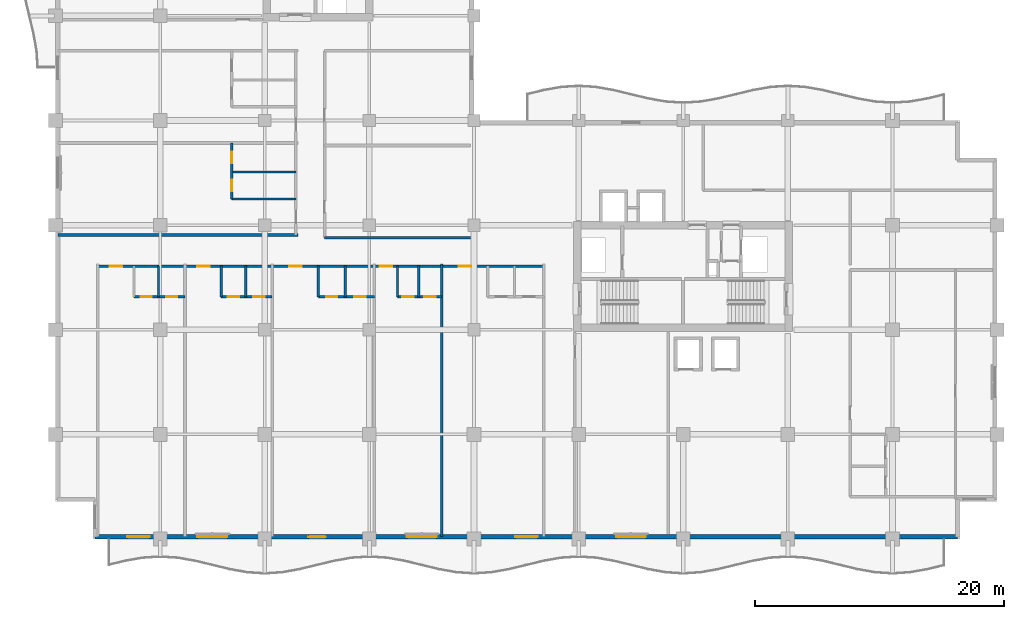
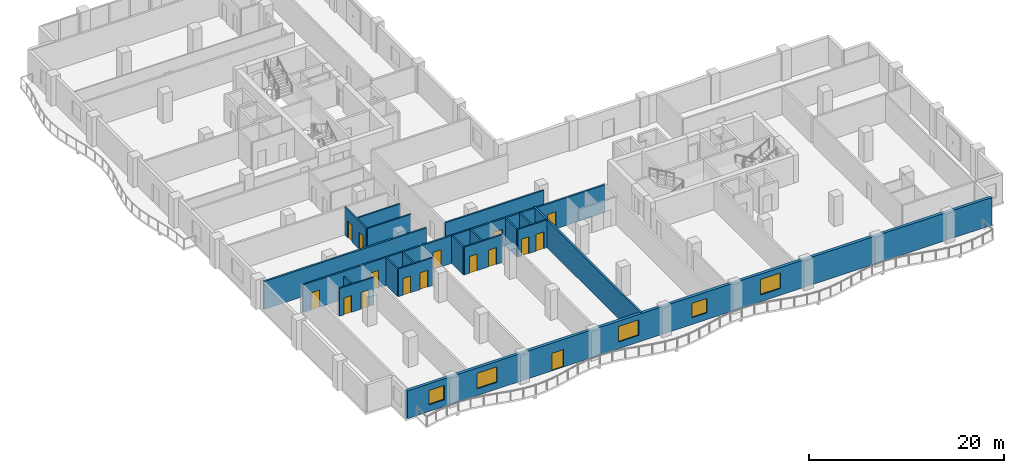
# One storey, part 7 of 19: 19 walls, 16 doors, 5 windows, 21 openings.
"""IFC4 building model written with IfcOpenShell, lengths in metres."""

from ifc_helpers import new_model, si_unit, direction, frame, frame_2d, origin, place, context, subcontext, project, spatial, rectangle, extrude, material, layer, layer_set, type_object, element, fill, save


model = new_model("IFC4")

# Units and contexts
model_context = context("Model", 3, precision=1e-05, world=origin(), true_north=direction((0.0, 1.0)))
body_context = subcontext(model_context, "Body", "Model", "MODEL_VIEW")
ifc_project = project(units=[si_unit("LENGTHUNIT", "METRE"), si_unit("AREAUNIT", "SQUARE_METRE"), si_unit("VOLUMEUNIT", "CUBIC_METRE"), si_unit("PLANEANGLEUNIT", "RADIAN"), si_unit("MASSUNIT", "GRAM", prefix="KILO")], contexts=[model_context])

# Site, building, storey
site_placement = place(None, origin())
site = spatial("IfcSite", under=ifc_project, at=site_placement, CompositionType="ELEMENT")
building_placement = place(site_placement, origin())
building = spatial("IfcBuilding", under=site, at=building_placement, Name="Koriwani Terraces Tower", CompositionType="ELEMENT")
storey_placement = place(building_placement, frame((0.0, 0.0, 190.199951171875)))
storey = spatial("IfcBuildingStorey", under=building, at=storey_placement, Name="L46", CompositionType="ELEMENT", Elevation=190.199951171875)

# Wall
ifc_material_1 = material(Name="Autoclaved Cellular Concrete Blockwork", Category="masonry")
ifc_layer_1 = layer(ifc_material_1, 0.199951171875, Name="Autoclaved Cellular Concrete Blockwork")
ifc_layer_set_1 = layer_set([ifc_layer_1], Name="Autoclaved Cellular Concrete Blockwork")
wall_type_1 = type_object("IfcWallType", Name="WALL_CORRIDOR_200", PredefinedType="PARTITIONING", material=ifc_layer_set_1)
wall_1_placement = place(storey_placement, frame((21.60009765625, 24.199951171875, 0.0), z_axis=(0.0, 0.0, 1.0), x_axis=(1.0, 0.0, 0.0)))
element("IfcWall", 1, at=wall_1_placement, inside=storey, type_object=wall_type_1, Name="L46 Interior Wall WIC2-S-L46", PredefinedType="PARTITIONING", context=body_context, shape_type="SweptSolid", body=[
    extrude(rectangle(XDim=11.699951171875, YDim=0.199951171875, at=frame_2d((5.85009765625, 0.0))), origin(), (0.0, 0.0, 1.0), 3.469970703125),
])

# Wall, openings, doors
wall_2_placement = place(storey_placement, frame((3.39990234375, 21.89990234375, 0.0), z_axis=(0.0, 0.0, 1.0), x_axis=(1.0, 0.0, 0.0)))
wall_2 = element("IfcWall", 2, at=wall_2_placement, inside=storey, type_object=wall_type_1, Name="L46 Interior Wall WRCOR-L46-SW-0", PredefinedType="PARTITIONING", context=body_context, shape_type="SweptSolid", body=[
    extrude(rectangle(XDim=35.800048828125, YDim=0.199951171875, at=frame_2d((17.89990234375, 0.0))), origin(), (0.0, 0.0, 1.0), 3.469970703125),
])
opening_1_placement = place(wall_2_placement, frame((0.969970703125, 0.0, 0.0)))
opening_1 = element("IfcOpeningElement", 3, at=opening_1_placement, cuts=wall_2, Name="Opening D-05", PredefinedType="OPENING", context=body_context, shape_type="SweptSolid", body=[
    extrude(rectangle(XDim=1.0, YDim=2.14990234375, at=frame_2d((0.5, 1.074951171875))), frame((0.0, 0.10986328125, 0.0), z_axis=(0.0, -1.0, 0.0), x_axis=(1.0, 0.0, 0.0)), (0.0, 0.0, 1.0), 0.219970703125),
])
opening_2_placement = place(wall_2_placement, frame((7.969970703125, 0.0, 0.0)))
opening_2 = element("IfcOpeningElement", 4, at=opening_2_placement, cuts=wall_2, Name="Opening D-05", PredefinedType="OPENING", context=body_context, shape_type="SweptSolid", body=[
    extrude(rectangle(XDim=1.0, YDim=2.14990234375, at=frame_2d((0.5, 1.074951171875))), frame((0.0, 0.10986328125, 0.0), z_axis=(0.0, -1.0, 0.0), x_axis=(1.0, 0.0, 0.0)), (0.0, 0.0, 1.0), 0.219970703125),
])
opening_3_placement = place(wall_2_placement, frame((15.3701171875, 0.0, 0.0)))
opening_3 = element("IfcOpeningElement", 5, at=opening_3_placement, cuts=wall_2, Name="Opening D-05", PredefinedType="OPENING", context=body_context, shape_type="SweptSolid", body=[
    extrude(rectangle(XDim=1.0, YDim=2.14990234375, at=frame_2d((0.5, 1.074951171875))), frame((0.0, 0.10986328125, 0.0), z_axis=(0.0, -1.0, 0.0), x_axis=(1.0, 0.0, 0.0)), (0.0, 0.0, 1.0), 0.219970703125),
])
opening_4_placement = place(wall_2_placement, frame((22.64501953125, 0.0, 0.0)))
opening_4 = element("IfcOpeningElement", 6, at=opening_4_placement, cuts=wall_2, Name="Opening D-05", PredefinedType="OPENING", context=body_context, shape_type="SweptSolid", body=[
    extrude(rectangle(XDim=1.0, YDim=2.14990234375, at=frame_2d((0.5, 1.074951171875))), frame((0.0, 0.10986328125, 0.0), z_axis=(0.0, -1.0, 0.0), x_axis=(1.0, 0.0, 0.0)), (0.0, 0.0, 1.0), 0.219970703125),
])
opening_5_placement = place(wall_2_placement, frame((28.969970703125, 0.0, 0.0)))
opening_5 = element("IfcOpeningElement", 7, at=opening_5_placement, cuts=wall_2, Name="Opening D-05", PredefinedType="OPENING", context=body_context, shape_type="SweptSolid", body=[
    extrude(rectangle(XDim=1.0, YDim=2.14990234375, at=frame_2d((0.5, 1.074951171875))), frame((0.0, 0.10986328125, 0.0), z_axis=(0.0, -1.0, 0.0), x_axis=(1.0, 0.0, 0.0)), (0.0, 0.0, 1.0), 0.219970703125),
])
ifc_material_2 = material(Name="Architectural Oak Fire Door", Category="wood")
door_type_1 = type_object("IfcDoorType", Name="DOOR_SUITE_ENTRY_1000X2150", OperationType="NOTDEFINED", PredefinedType="DOOR", material=ifc_material_2)
door_1_placement = place(opening_1_placement, origin())
door_1 = element("IfcDoor", 8, at=door_1_placement, inside=storey, type_object=door_type_1, Name="Apartment 46SW1 Entrance Door", OperationType="SINGLE_SWING_RIGHT", OverallHeight=2.14990234375, OverallWidth=1.0, PredefinedType="DOOR", context=body_context, shape_type="SweptSolid", body=[
    extrude(rectangle(XDim=1.0, YDim=2.14990234375, at=frame_2d((0.5, 1.074951171875))), frame((0.0, 0.02490234375, 0.0), z_axis=(0.0, -1.0, 0.0), x_axis=(1.0, 0.0, 0.0)), (0.0, 0.0, 1.0), 0.050048828125),
])
fill(opening_1, door_1)
door_2_placement = place(opening_2_placement, origin())
door_2 = element("IfcDoor", 9, at=door_2_placement, inside=storey, type_object=door_type_1, Name="Apartment 46SW2 Entrance Door", OperationType="SINGLE_SWING_LEFT", OverallHeight=2.14990234375, OverallWidth=1.0, PredefinedType="DOOR", context=body_context, shape_type="SweptSolid", body=[
    extrude(rectangle(XDim=1.0, YDim=2.14990234375, at=frame_2d((0.5, 1.074951171875))), frame((0.0, 0.02490234375, 0.0), z_axis=(0.0, -1.0, 0.0), x_axis=(1.0, 0.0, 0.0)), (0.0, 0.0, 1.0), 0.050048828125),
])
fill(opening_2, door_2)
door_3_placement = place(opening_3_placement, origin())
door_3 = element("IfcDoor", 10, at=door_3_placement, inside=storey, type_object=door_type_1, Name="Apartment 46SW3 Entrance Door", OperationType="SINGLE_SWING_RIGHT", OverallHeight=2.14990234375, OverallWidth=1.0, PredefinedType="DOOR", context=body_context, shape_type="SweptSolid", body=[
    extrude(rectangle(XDim=1.0, YDim=2.14990234375, at=frame_2d((0.5, 1.074951171875))), frame((0.0, 0.02490234375, 0.0), z_axis=(0.0, -1.0, 0.0), x_axis=(1.0, 0.0, 0.0)), (0.0, 0.0, 1.0), 0.050048828125),
])
fill(opening_3, door_3)
door_4_placement = place(opening_4_placement, origin())
door_4 = element("IfcDoor", 11, at=door_4_placement, inside=storey, type_object=door_type_1, Name="Apartment 46SW4 Entrance Door", OperationType="SINGLE_SWING_LEFT", OverallHeight=2.14990234375, OverallWidth=1.0, PredefinedType="DOOR", context=body_context, shape_type="SweptSolid", body=[
    extrude(rectangle(XDim=1.0, YDim=2.14990234375, at=frame_2d((0.5, 1.074951171875))), frame((0.0, 0.02490234375, 0.0), z_axis=(0.0, -1.0, 0.0), x_axis=(1.0, 0.0, 0.0)), (0.0, 0.0, 1.0), 0.050048828125),
])
fill(opening_4, door_4)
door_5_placement = place(opening_5_placement, origin())
door_5 = element("IfcDoor", 12, at=door_5_placement, inside=storey, type_object=door_type_1, Name="Apartment 46SW5 Entrance Door", OperationType="SINGLE_SWING_RIGHT", OverallHeight=2.14990234375, OverallWidth=1.0, PredefinedType="DOOR", context=body_context, shape_type="SweptSolid", body=[
    extrude(rectangle(XDim=1.0, YDim=2.14990234375, at=frame_2d((0.5, 1.074951171875))), frame((0.0, 0.02490234375, 0.0), z_axis=(0.0, -1.0, 0.0), x_axis=(1.0, 0.0, 0.0)), (0.0, 0.0, 1.0), 0.050048828125),
])
fill(opening_5, door_5)

# Walls
ifc_layer_2 = layer(ifc_material_1, 0.219970703125, Name="Autoclaved Cellular Concrete Blockwork")
ifc_layer_set_2 = layer_set([ifc_layer_2], Name="Autoclaved Cellular Concrete Blockwork")
wall_type_2 = type_object("IfcWallType", Name="WALL_DEMISING_220", PredefinedType="PARTITIONING", material=ifc_layer_set_2)
wall_3_placement = place(storey_placement, frame((31.0, 0.199951171875, 0.0), z_axis=(0.0, 0.0, 1.0), x_axis=(0.0, 1.0, 0.0)))
element("IfcWall", 13, at=wall_3_placement, inside=storey, type_object=wall_type_2, Name="L46 Interior Wall WRDEM-L46-SW-4", PredefinedType="PARTITIONING", context=body_context, shape_type="SweptSolid", body=[
    extrude(rectangle(XDim=21.880126953125, YDim=0.219970703125, at=frame_2d((10.93994140625, 0.0))), origin(), (0.0, 0.0, 1.0), 3.469970703125),
])
wall_4_placement = place(storey_placement, frame((0.199951171875, 24.39990234375, 0.0), z_axis=(0.0, 0.0, 1.0), x_axis=(1.0, 0.0, 0.0)))
element("IfcWall", 14, at=wall_4_placement, inside=storey, type_object=wall_type_2, Name="L46 Interior Wall WRDEM-L46-NW-0", PredefinedType="PARTITIONING", context=body_context, shape_type="SweptSolid", body=[
    extrude(rectangle(XDim=19.280029296875, YDim=0.219970703125, at=frame_2d((9.64013671875, 0.0))), origin(), (0.0, 0.0, 1.0), 3.469970703125),
])

# Wall, openings, door, windows
ifc_material_3 = material(Name="Concrete C50/60", Category="concrete")
ifc_layer_3 = layer(ifc_material_3, 0.35009765625, Name="Concrete C50/60")
ifc_layer_set_3 = layer_set([ifc_layer_3], Name="Concrete C50/60")
wall_type_3 = type_object("IfcWallType", Name="WALL_EXT_BRUTALIST_350", PredefinedType="STANDARD", material=ifc_layer_set_3)
wall_5_placement = place(storey_placement, frame((72.425048828125, 0.175048828125, 0.0), z_axis=(0.0, 0.0, 1.0), x_axis=(-1.0, 0.0, 0.0)))
wall_5 = element("IfcWall", 15, at=wall_5_placement, inside=storey, type_object=wall_type_3, Name="L46 Fair-Faced Brutalist Exterior Wall (S)", PredefinedType="STANDARD", context=body_context, shape_type="SweptSolid", body=[
    extrude(rectangle(XDim=69.25, YDim=0.35009765625, at=frame_2d((34.625, 0.0))), origin(), (0.0, 0.0, 1.0), 3.469970703125),
])
opening_6_placement = place(wall_5_placement, frame((50.72509765625, 0.0, 0.0)))
opening_6 = element("IfcOpeningElement", 16, at=opening_6_placement, cuts=wall_5, Name="Opening D-09", PredefinedType="OPENING", context=body_context, shape_type="SweptSolid", body=[
    extrude(rectangle(XDim=1.39990234375, YDim=2.199951171875, at=frame_2d((0.699951171875, 1.10009765625))), frame((0.0, 0.18505859375, 0.0), z_axis=(0.0, -1.0, 0.0), x_axis=(1.0, 0.0, 0.0)), (0.0, 0.0, 1.0), 0.3701171875),
])
opening_7_placement = place(wall_5_placement, frame((58.625, 0.0, 0.85009765625)))
opening_7 = element("IfcOpeningElement", 17, at=opening_7_placement, cuts=wall_5, Name="Opening W-03", PredefinedType="OPENING", context=body_context, shape_type="SweptSolid", body=[
    extrude(rectangle(XDim=2.39990234375, YDim=1.949951171875, at=frame_2d((1.199951171875, 0.97509765625))), frame((0.0, 0.18505859375, 0.0), z_axis=(0.0, -1.0, 0.0), x_axis=(1.0, 0.0, 0.0)), (0.0, 0.0, 1.0), 0.3701171875),
])
opening_8_placement = place(wall_5_placement, frame((41.824951171875, 0.0, 0.85009765625)))
opening_8 = element("IfcOpeningElement", 18, at=opening_8_placement, cuts=wall_5, Name="Opening W-03", PredefinedType="OPENING", context=body_context, shape_type="SweptSolid", body=[
    extrude(rectangle(XDim=2.39990234375, YDim=1.949951171875, at=frame_2d((1.199951171875, 0.97509765625))), frame((0.0, 0.18505859375, 0.0), z_axis=(0.0, -1.0, 0.0), x_axis=(1.0, 0.0, 0.0)), (0.0, 0.0, 1.0), 0.3701171875),
])
opening_9_placement = place(wall_5_placement, frame((33.72509765625, 0.0, 0.85009765625)))
opening_9 = element("IfcOpeningElement", 19, at=opening_9_placement, cuts=wall_5, Name="Opening W-04", PredefinedType="OPENING", context=body_context, shape_type="SweptSolid", body=[
    extrude(rectangle(XDim=1.800048828125, YDim=1.800048828125, at=frame_2d((0.89990234375, 0.89990234375))), frame((0.0, 0.18505859375, 0.0), z_axis=(0.0, -1.0, 0.0), x_axis=(1.0, 0.0, 0.0)), (0.0, 0.0, 1.0), 0.3701171875),
])
opening_10_placement = place(wall_5_placement, frame((25.02490234375, 0.0, 0.85009765625)))
opening_10 = element("IfcOpeningElement", 20, at=opening_10_placement, cuts=wall_5, Name="Opening W-03", PredefinedType="OPENING", context=body_context, shape_type="SweptSolid", body=[
    extrude(rectangle(XDim=2.39990234375, YDim=1.949951171875, at=frame_2d((1.199951171875, 0.97509765625))), frame((0.0, 0.18505859375, 0.0), z_axis=(0.0, -1.0, 0.0), x_axis=(1.0, 0.0, 0.0)), (0.0, 0.0, 1.0), 0.3701171875),
])
opening_11_placement = place(wall_5_placement, frame((64.875, 0.0, 0.85009765625)))
opening_11 = element("IfcOpeningElement", 21, at=opening_11_placement, cuts=wall_5, Name="Opening W-04", PredefinedType="OPENING", context=body_context, shape_type="SweptSolid", body=[
    extrude(rectangle(XDim=1.800048828125, YDim=1.800048828125, at=frame_2d((0.89990234375, 0.89990234375))), frame((0.0, 0.18505859375, 0.0), z_axis=(0.0, -1.0, 0.0), x_axis=(1.0, 0.0, 0.0)), (0.0, 0.0, 1.0), 0.3701171875),
])
ifc_material_4 = material(Name="Anodised Bronze Aluminium", Category="aluminium")
door_type_2 = type_object("IfcDoorType", Name="DOOR_BALCONY_GLAZED_1400X2200", OperationType="NOTDEFINED", PredefinedType="DOOR", material=ifc_material_4)
door_6_placement = place(opening_6_placement, origin())
door_6 = element("IfcDoor", 22, at=door_6_placement, inside=storey, type_object=door_type_2, Name="L46 South Balcony Glazed Door", OperationType="SINGLE_SWING_LEFT", OverallHeight=2.199951171875, OverallWidth=1.39990234375, PredefinedType="DOOR", context=body_context, shape_type="SweptSolid", body=[
    extrude(rectangle(XDim=1.39990234375, YDim=2.199951171875, at=frame_2d((0.699951171875, 1.10009765625))), frame((0.0, 0.02490234375, 0.0), z_axis=(0.0, -1.0, 0.0), x_axis=(1.0, 0.0, 0.0)), (0.0, 0.0, 1.0), 0.050048828125),
])
fill(opening_6, door_6)
ifc_material_5 = material(Name="Tempered Laminated Low-E Glass", Category="glass")
window_type_1 = type_object("IfcWindowType", Name="WIN_RES_BED_1800X1800", PartitioningType="DOUBLE_PANEL_VERTICAL", PredefinedType="WINDOW", material=ifc_material_5)
window_1_placement = place(opening_9_placement, origin())
window_1 = element("IfcWindow", 23, at=window_1_placement, inside=storey, type_object=window_type_1, Name="L46 Exterior Window (S-12)", OverallHeight=1.800048828125, OverallWidth=1.800048828125, PartitioningType="SINGLE_PANEL", PredefinedType="WINDOW", context=body_context, shape_type="SweptSolid", body=[
    extrude(rectangle(XDim=1.800048828125, YDim=1.800048828125, at=frame_2d((0.89990234375, 0.89990234375))), frame((0.0, 0.030029296875, 0.0), z_axis=(0.0, -1.0, 0.0), x_axis=(1.0, 0.0, 0.0)), (0.0, 0.0, 1.0), 0.06005859375),
])
fill(opening_9, window_1)
window_2_placement = place(opening_11_placement, origin())
window_2 = element("IfcWindow", 24, at=window_2_placement, inside=storey, type_object=window_type_1, Name="L46 Exterior Window (S-R35)", OverallHeight=1.800048828125, OverallWidth=1.800048828125, PartitioningType="SINGLE_PANEL", PredefinedType="WINDOW", context=body_context, shape_type="SweptSolid", body=[
    extrude(rectangle(XDim=1.800048828125, YDim=1.800048828125, at=frame_2d((0.89990234375, 0.89990234375))), frame((0.0, 0.030029296875, 0.0), z_axis=(0.0, -1.0, 0.0), x_axis=(1.0, 0.0, 0.0)), (0.0, 0.0, 1.0), 0.06005859375),
])
fill(opening_11, window_2)
window_type_2 = type_object("IfcWindowType", Name="WIN_RES_LIVING_2400X1950", PartitioningType="DOUBLE_PANEL_VERTICAL", PredefinedType="WINDOW", material=ifc_material_5)
window_3_placement = place(opening_7_placement, origin())
window_3 = element("IfcWindow", 25, at=window_3_placement, inside=storey, type_object=window_type_2, Name="L46 Exterior Window (S-3)", OverallHeight=1.949951171875, OverallWidth=2.39990234375, PartitioningType="SINGLE_PANEL", PredefinedType="WINDOW", context=body_context, shape_type="SweptSolid", body=[
    extrude(rectangle(XDim=2.39990234375, YDim=1.949951171875, at=frame_2d((1.199951171875, 0.97509765625))), frame((0.0, 0.030029296875, 0.0), z_axis=(0.0, -1.0, 0.0), x_axis=(1.0, 0.0, 0.0)), (0.0, 0.0, 1.0), 0.06005859375),
])
fill(opening_7, window_3)
window_4_placement = place(opening_8_placement, origin())
window_4 = element("IfcWindow", 26, at=window_4_placement, inside=storey, type_object=window_type_2, Name="L46 Exterior Window (S-9)", OverallHeight=1.949951171875, OverallWidth=2.39990234375, PartitioningType="SINGLE_PANEL", PredefinedType="WINDOW", context=body_context, shape_type="SweptSolid", body=[
    extrude(rectangle(XDim=2.39990234375, YDim=1.949951171875, at=frame_2d((1.199951171875, 0.97509765625))), frame((0.0, 0.030029296875, 0.0), z_axis=(0.0, -1.0, 0.0), x_axis=(1.0, 0.0, 0.0)), (0.0, 0.0, 1.0), 0.06005859375),
])
fill(opening_8, window_4)
window_5_placement = place(opening_10_placement, origin())
window_5 = element("IfcWindow", 27, at=window_5_placement, inside=storey, type_object=window_type_2, Name="L46 Exterior Window (S-15)", OverallHeight=1.949951171875, OverallWidth=2.39990234375, PartitioningType="SINGLE_PANEL", PredefinedType="WINDOW", context=body_context, shape_type="SweptSolid", body=[
    extrude(rectangle(XDim=2.39990234375, YDim=1.949951171875, at=frame_2d((1.199951171875, 0.97509765625))), frame((0.0, 0.030029296875, 0.0), z_axis=(0.0, -1.0, 0.0), x_axis=(1.0, 0.0, 0.0)), (0.0, 0.0, 1.0), 0.06005859375),
])
fill(opening_10, window_5)

# Wall, openings, doors
ifc_material_6 = material(Name="Fire-Rated Acoustic Gypsum Partition", Category="masonry")
ifc_layer_4 = layer(ifc_material_6, 0.179931640625, Name="Fire-Rated Acoustic Gypsum Partition")
ifc_layer_set_4 = layer_set([ifc_layer_4], Name="Fire-Rated Acoustic Gypsum Partition")
wall_type_4 = type_object("IfcWallType", Name="WALL_PLUMBING_180", PredefinedType="PLUMBINGWALL", material=ifc_layer_set_4)
wall_6_placement = place(storey_placement, frame((6.300048828125, 19.449951171875, 0.0), z_axis=(0.0, 0.0, 1.0), x_axis=(1.0, 0.0, 0.0)))
wall_6 = element("IfcWall", 28, at=wall_6_placement, inside=storey, type_object=wall_type_4, Name="L46 Interior Wall WRSVC-L46-SW-0", PredefinedType="PLUMBINGWALL", context=body_context, shape_type="SweptSolid", body=[
    extrude(rectangle(XDim=4.099853515625, YDim=0.179931640625, at=frame_2d((2.0498046875, 0.0))), origin(), (0.0, 0.0, 1.0), 3.469970703125),
])
opening_12_placement = place(wall_6_placement, frame((0.533935546875, 0.0, 0.0)))
opening_12 = element("IfcOpeningElement", 29, at=opening_12_placement, cuts=wall_6, Name="Opening D-07", PredefinedType="OPENING", context=body_context, shape_type="SweptSolid", body=[
    extrude(rectangle(XDim=0.89990234375, YDim=2.10009765625, at=frame_2d((0.449951171875, 1.050048828125))), frame((0.0, 0.10009765625, 0.0), z_axis=(0.0, -1.0, 0.0), x_axis=(1.0, 0.0, 0.0)), (0.0, 0.0, 1.0), 0.199951171875),
])
opening_13_placement = place(wall_6_placement, frame((2.573974609375, 0.0, 0.0)))
opening_13 = element("IfcOpeningElement", 30, at=opening_13_placement, cuts=wall_6, Name="Opening D-06", PredefinedType="OPENING", context=body_context, shape_type="SweptSolid", body=[
    extrude(rectangle(XDim=0.919921875, YDim=2.10009765625, at=frame_2d((0.4599609375, 1.050048828125))), frame((0.0, 0.10009765625, 0.0), z_axis=(0.0, -1.0, 0.0), x_axis=(1.0, 0.0, 0.0)), (0.0, 0.0, 1.0), 0.199951171875),
])
door_type_3 = type_object("IfcDoorType", Name="DOOR_BATH_INT_900X2100", OperationType="NOTDEFINED", PredefinedType="DOOR", material=ifc_material_2)
door_7_placement = place(opening_12_placement, origin())
door_7 = element("IfcDoor", 31, at=door_7_placement, inside=storey, type_object=door_type_3, Name="Apartment 46SW1 Bathroom Door", OperationType="SINGLE_SWING_LEFT", OverallHeight=2.10009765625, OverallWidth=0.89990234375, PredefinedType="DOOR", context=body_context, shape_type="SweptSolid", body=[
    extrude(rectangle(XDim=0.89990234375, YDim=2.10009765625, at=frame_2d((0.449951171875, 1.050048828125))), frame((0.0, 0.02490234375, 0.0), z_axis=(0.0, -1.0, 0.0), x_axis=(1.0, 0.0, 0.0)), (0.0, 0.0, 1.0), 0.050048828125),
])
fill(opening_12, door_7)
door_type_4 = type_object("IfcDoorType", Name="DOOR_ROOM_INT_920X2100", OperationType="NOTDEFINED", PredefinedType="DOOR", material=ifc_material_2)
door_8_placement = place(opening_13_placement, origin())
door_8 = element("IfcDoor", 32, at=door_8_placement, inside=storey, type_object=door_type_4, Name="Apartment 46SW1 Kitchen Door", OperationType="SINGLE_SWING_RIGHT", OverallHeight=2.10009765625, OverallWidth=0.919921875, PredefinedType="DOOR", context=body_context, shape_type="SweptSolid", body=[
    extrude(rectangle(XDim=0.919921875, YDim=2.10009765625, at=frame_2d((0.4599609375, 1.050048828125))), frame((0.0, 0.02490234375, 0.0), z_axis=(0.0, -1.0, 0.0), x_axis=(1.0, 0.0, 0.0)), (0.0, 0.0, 1.0), 0.050048828125),
])
fill(opening_13, door_8)

# Wall
wall_7_placement = place(storey_placement, frame((8.26806640625, 19.449951171875, 0.0), z_axis=(0.0, 0.0, 1.0), x_axis=(0.0, 1.0, 0.0)))
element("IfcWall", 33, at=wall_7_placement, inside=storey, type_object=wall_type_4, Name="L46 Interior Wall WRSVCM-L46-SW-0", PredefinedType="PLUMBINGWALL", context=body_context, shape_type="SweptSolid", body=[
    extrude(rectangle(XDim=2.449951171875, YDim=0.179931640625, at=frame_2d((1.22509765625, 0.0))), origin(), (0.0, 0.0, 1.0), 2.820068359375),
])

# Wall, openings, doors
wall_8_placement = place(storey_placement, frame((13.300048828125, 19.449951171875, 0.0), z_axis=(0.0, 0.0, 1.0), x_axis=(1.0, 0.0, 0.0)))
wall_8 = element("IfcWall", 34, at=wall_8_placement, inside=storey, type_object=wall_type_4, Name="L46 Interior Wall WRSVC-L46-SW-1", PredefinedType="PLUMBINGWALL", context=body_context, shape_type="SweptSolid", body=[
    extrude(rectangle(XDim=4.099853515625, YDim=0.179931640625, at=frame_2d((2.0498046875, 0.0))), origin(), (0.0, 0.0, 1.0), 3.469970703125),
])
opening_14_placement = place(wall_8_placement, frame((0.533935546875, 0.0, 0.0)))
opening_14 = element("IfcOpeningElement", 35, at=opening_14_placement, cuts=wall_8, Name="Opening D-07", PredefinedType="OPENING", context=body_context, shape_type="SweptSolid", body=[
    extrude(rectangle(XDim=0.89990234375, YDim=2.10009765625, at=frame_2d((0.449951171875, 1.050048828125))), frame((0.0, 0.10009765625, 0.0), z_axis=(0.0, -1.0, 0.0), x_axis=(1.0, 0.0, 0.0)), (0.0, 0.0, 1.0), 0.199951171875),
])
opening_15_placement = place(wall_8_placement, frame((2.573974609375, 0.0, 0.0)))
opening_15 = element("IfcOpeningElement", 36, at=opening_15_placement, cuts=wall_8, Name="Opening D-06", PredefinedType="OPENING", context=body_context, shape_type="SweptSolid", body=[
    extrude(rectangle(XDim=0.919921875, YDim=2.10009765625, at=frame_2d((0.4599609375, 1.050048828125))), frame((0.0, 0.10009765625, 0.0), z_axis=(0.0, -1.0, 0.0), x_axis=(1.0, 0.0, 0.0)), (0.0, 0.0, 1.0), 0.199951171875),
])
door_9_placement = place(opening_14_placement, origin())
door_9 = element("IfcDoor", 37, at=door_9_placement, inside=storey, type_object=door_type_3, Name="Apartment 46SW2 Bathroom Door", OperationType="SINGLE_SWING_RIGHT", OverallHeight=2.10009765625, OverallWidth=0.89990234375, PredefinedType="DOOR", context=body_context, shape_type="SweptSolid", body=[
    extrude(rectangle(XDim=0.89990234375, YDim=2.10009765625, at=frame_2d((0.449951171875, 1.050048828125))), frame((0.0, 0.02490234375, 0.0), z_axis=(0.0, -1.0, 0.0), x_axis=(1.0, 0.0, 0.0)), (0.0, 0.0, 1.0), 0.050048828125),
])
fill(opening_14, door_9)
door_10_placement = place(opening_15_placement, origin())
door_10 = element("IfcDoor", 38, at=door_10_placement, inside=storey, type_object=door_type_4, Name="Apartment 46SW2 Kitchen Door", OperationType="SINGLE_SWING_LEFT", OverallHeight=2.10009765625, OverallWidth=0.919921875, PredefinedType="DOOR", context=body_context, shape_type="SweptSolid", body=[
    extrude(rectangle(XDim=0.919921875, YDim=2.10009765625, at=frame_2d((0.4599609375, 1.050048828125))), frame((0.0, 0.02490234375, 0.0), z_axis=(0.0, -1.0, 0.0), x_axis=(1.0, 0.0, 0.0)), (0.0, 0.0, 1.0), 0.050048828125),
])
fill(opening_15, door_10)

# Walls
for number, where, z_axis, x_axis, name in (
    (39, (13.300048828125, 19.449951171875, 0.0), (0.0, 0.0, 1.0), (0.0, 1.0, 0.0), "L46 Interior Wall WRSVCS-L46-SW-1"),
    (40, (15.26806640625, 19.449951171875, 0.0), (0.0, 0.0, 1.0), (0.0, 1.0, 0.0), "L46 Interior Wall WRSVCM-L46-SW-1"),
):
    element("IfcWall", number, at=place(storey_placement, frame(where, z_axis=z_axis, x_axis=x_axis)), inside=storey, type_object=wall_type_4, Name=name, PredefinedType="PLUMBINGWALL", context=body_context, shape_type="SweptSolid", body=[
        extrude(rectangle(XDim=2.449951171875, YDim=0.179931640625, at=frame_2d((1.22509765625, 0.0))), origin(), (0.0, 0.0, 1.0), 3.469970703125),
    ])

# Wall, openings, doors
wall_9_placement = place(storey_placement, frame((21.10009765625, 19.449951171875, 0.0), z_axis=(0.0, 0.0, 1.0), x_axis=(1.0, 0.0, 0.0)))
wall_9 = element("IfcWall", 41, at=wall_9_placement, inside=storey, type_object=wall_type_4, Name="L46 Interior Wall WRSVC-L46-SW-2", PredefinedType="PLUMBINGWALL", context=body_context, shape_type="SweptSolid", body=[
    extrude(rectangle(XDim=4.5, YDim=0.179931640625, at=frame_2d((2.25, 0.0))), origin(), (0.0, 0.0, 1.0), 3.469970703125),
])
opening_16_placement = place(wall_9_placement, frame((0.6298828125, 0.0, 0.0)))
opening_16 = element("IfcOpeningElement", 42, at=opening_16_placement, cuts=wall_9, Name="Opening D-07", PredefinedType="OPENING", context=body_context, shape_type="SweptSolid", body=[
    extrude(rectangle(XDim=0.89990234375, YDim=2.10009765625, at=frame_2d((0.449951171875, 1.050048828125))), frame((0.0, 0.10009765625, 0.0), z_axis=(0.0, -1.0, 0.0), x_axis=(1.0, 0.0, 0.0)), (0.0, 0.0, 1.0), 0.199951171875),
])
opening_17_placement = place(wall_9_placement, frame((2.8701171875, 0.0, 0.0)))
opening_17 = element("IfcOpeningElement", 43, at=opening_17_placement, cuts=wall_9, Name="Opening D-06", PredefinedType="OPENING", context=body_context, shape_type="SweptSolid", body=[
    extrude(rectangle(XDim=0.919921875, YDim=2.10009765625, at=frame_2d((0.4599609375, 1.050048828125))), frame((0.0, 0.10009765625, 0.0), z_axis=(0.0, -1.0, 0.0), x_axis=(1.0, 0.0, 0.0)), (0.0, 0.0, 1.0), 0.199951171875),
])
door_11_placement = place(opening_16_placement, origin())
door_11 = element("IfcDoor", 44, at=door_11_placement, inside=storey, type_object=door_type_3, Name="Apartment 46SW3 Bathroom Door", OperationType="SINGLE_SWING_LEFT", OverallHeight=2.10009765625, OverallWidth=0.89990234375, PredefinedType="DOOR", context=body_context, shape_type="SweptSolid", body=[
    extrude(rectangle(XDim=0.89990234375, YDim=2.10009765625, at=frame_2d((0.449951171875, 1.050048828125))), frame((0.0, 0.02490234375, 0.0), z_axis=(0.0, -1.0, 0.0), x_axis=(1.0, 0.0, 0.0)), (0.0, 0.0, 1.0), 0.050048828125),
])
fill(opening_16, door_11)
door_12_placement = place(opening_17_placement, origin())
door_12 = element("IfcDoor", 45, at=door_12_placement, inside=storey, type_object=door_type_4, Name="Apartment 46SW3 Kitchen Door", OperationType="SINGLE_SWING_RIGHT", OverallHeight=2.10009765625, OverallWidth=0.919921875, PredefinedType="DOOR", context=body_context, shape_type="SweptSolid", body=[
    extrude(rectangle(XDim=0.919921875, YDim=2.10009765625, at=frame_2d((0.4599609375, 1.050048828125))), frame((0.0, 0.02490234375, 0.0), z_axis=(0.0, -1.0, 0.0), x_axis=(1.0, 0.0, 0.0)), (0.0, 0.0, 1.0), 0.050048828125),
])
fill(opening_17, door_12)

# Walls
for number, where, z_axis, x_axis, name in (
    (46, (21.10009765625, 19.449951171875, 0.0), (0.0, 0.0, 1.0), (0.0, 1.0, 0.0), "L46 Interior Wall WRSVCS-L46-SW-2"),
    (47, (23.260009765625, 19.449951171875, 0.0), (0.0, 0.0, 1.0), (0.0, 1.0, 0.0), "L46 Interior Wall WRSVCM-L46-SW-2"),
):
    element("IfcWall", number, at=place(storey_placement, frame(where, z_axis=z_axis, x_axis=x_axis)), inside=storey, type_object=wall_type_4, Name=name, PredefinedType="PLUMBINGWALL", context=body_context, shape_type="SweptSolid", body=[
        extrude(rectangle(XDim=2.449951171875, YDim=0.179931640625, at=frame_2d((1.22509765625, 0.0))), origin(), (0.0, 0.0, 1.0), 3.469970703125),
    ])

# Wall, openings, doors
wall_10_placement = place(storey_placement, frame((27.449951171875, 19.449951171875, 0.0), z_axis=(0.0, 0.0, 1.0), x_axis=(1.0, 0.0, 0.0)))
wall_10 = element("IfcWall", 48, at=wall_10_placement, inside=storey, type_object=wall_type_4, Name="L46 Interior Wall WRSVC-L46-SW-3", PredefinedType="PLUMBINGWALL", context=body_context, shape_type="SweptSolid", body=[
    extrude(rectangle(XDim=3.550048828125, YDim=0.179931640625, at=frame_2d((1.77490234375, 0.0))), origin(), (0.0, 0.0, 1.0), 3.469970703125),
])
opening_18_placement = place(wall_10_placement, frame((0.402099609375, 0.0, 0.0)))
opening_18 = element("IfcOpeningElement", 49, at=opening_18_placement, cuts=wall_10, Name="Opening D-07", PredefinedType="OPENING", context=body_context, shape_type="SweptSolid", body=[
    extrude(rectangle(XDim=0.89990234375, YDim=2.10009765625, at=frame_2d((0.449951171875, 1.050048828125))), frame((0.0, 0.10009765625, 0.0), z_axis=(0.0, -1.0, 0.0), x_axis=(1.0, 0.0, 0.0)), (0.0, 0.0, 1.0), 0.199951171875),
])
opening_19_placement = place(wall_10_placement, frame((2.1669921875, 0.0, 0.0)))
opening_19 = element("IfcOpeningElement", 50, at=opening_19_placement, cuts=wall_10, Name="Opening D-06", PredefinedType="OPENING", context=body_context, shape_type="SweptSolid", body=[
    extrude(rectangle(XDim=0.919921875, YDim=2.10009765625, at=frame_2d((0.4599609375, 1.050048828125))), frame((0.0, 0.10009765625, 0.0), z_axis=(0.0, -1.0, 0.0), x_axis=(1.0, 0.0, 0.0)), (0.0, 0.0, 1.0), 0.199951171875),
])
door_13_placement = place(opening_18_placement, origin())
door_13 = element("IfcDoor", 51, at=door_13_placement, inside=storey, type_object=door_type_3, Name="Apartment 46SW4 Bathroom Door", OperationType="SINGLE_SWING_RIGHT", OverallHeight=2.10009765625, OverallWidth=0.89990234375, PredefinedType="DOOR", context=body_context, shape_type="SweptSolid", body=[
    extrude(rectangle(XDim=0.89990234375, YDim=2.10009765625, at=frame_2d((0.449951171875, 1.050048828125))), frame((0.0, 0.02490234375, 0.0), z_axis=(0.0, -1.0, 0.0), x_axis=(1.0, 0.0, 0.0)), (0.0, 0.0, 1.0), 0.050048828125),
])
fill(opening_18, door_13)
door_14_placement = place(opening_19_placement, origin())
door_14 = element("IfcDoor", 52, at=door_14_placement, inside=storey, type_object=door_type_4, Name="Apartment 46SW4 Kitchen Door", OperationType="SINGLE_SWING_LEFT", OverallHeight=2.10009765625, OverallWidth=0.919921875, PredefinedType="DOOR", context=body_context, shape_type="SweptSolid", body=[
    extrude(rectangle(XDim=0.919921875, YDim=2.10009765625, at=frame_2d((0.4599609375, 1.050048828125))), frame((0.0, 0.02490234375, 0.0), z_axis=(0.0, -1.0, 0.0), x_axis=(1.0, 0.0, 0.0)), (0.0, 0.0, 1.0), 0.050048828125),
])
fill(opening_19, door_14)

# Walls
for number, where, z_axis, x_axis, name in (
    (53, (27.449951171875, 19.449951171875, 0.0), (0.0, 0.0, 1.0), (0.0, 1.0, 0.0), "L46 Interior Wall WRSVCS-L46-SW-3"),
    (54, (29.154052734375, 19.449951171875, 0.0), (0.0, 0.0, 1.0), (0.0, 1.0, 0.0), "L46 Interior Wall WRSVCM-L46-SW-3"),
):
    element("IfcWall", number, at=place(storey_placement, frame(where, z_axis=z_axis, x_axis=x_axis)), inside=storey, type_object=wall_type_4, Name=name, PredefinedType="PLUMBINGWALL", context=body_context, shape_type="SweptSolid", body=[
        extrude(rectangle(XDim=2.449951171875, YDim=0.179931640625, at=frame_2d((1.22509765625, 0.0))), origin(), (0.0, 0.0, 1.0), 3.469970703125),
    ])

# Wall, openings, doors
wall_11_placement = place(storey_placement, frame((14.14990234375, 27.300048828125, 0.0), z_axis=(0.0, 0.0, 1.0), x_axis=(0.0, 1.0, 0.0)))
wall_11 = element("IfcWall", 55, at=wall_11_placement, inside=storey, type_object=wall_type_4, Name="L46 Interior Wall WRSVC-L46-NW-0", PredefinedType="PLUMBINGWALL", context=body_context, shape_type="SweptSolid", body=[
    extrude(rectangle(XDim=4.5, YDim=0.179931640625, at=frame_2d((2.25, 0.0))), origin(), (0.0, 0.0, 1.0), 3.469970703125),
])
opening_20_placement = place(wall_11_placement, frame((0.6298828125, 0.0, 0.0)))
opening_20 = element("IfcOpeningElement", 56, at=opening_20_placement, cuts=wall_11, Name="Opening D-07", PredefinedType="OPENING", context=body_context, shape_type="SweptSolid", body=[
    extrude(rectangle(XDim=0.89990234375, YDim=2.10009765625, at=frame_2d((0.449951171875, 1.050048828125))), frame((0.0, 0.10009765625, 0.0), z_axis=(0.0, -1.0, 0.0), x_axis=(1.0, 0.0, 0.0)), (0.0, 0.0, 1.0), 0.199951171875),
])
opening_21_placement = place(wall_11_placement, frame((2.8701171875, 0.0, 0.0)))
opening_21 = element("IfcOpeningElement", 57, at=opening_21_placement, cuts=wall_11, Name="Opening D-06", PredefinedType="OPENING", context=body_context, shape_type="SweptSolid", body=[
    extrude(rectangle(XDim=0.919921875, YDim=2.10009765625, at=frame_2d((0.4599609375, 1.050048828125))), frame((0.0, 0.10009765625, 0.0), z_axis=(0.0, -1.0, 0.0), x_axis=(1.0, 0.0, 0.0)), (0.0, 0.0, 1.0), 0.199951171875),
])
door_15_placement = place(opening_20_placement, origin())
door_15 = element("IfcDoor", 58, at=door_15_placement, inside=storey, type_object=door_type_3, Name="Apartment 46NW1 Bathroom Door", OperationType="SINGLE_SWING_RIGHT", OverallHeight=2.10009765625, OverallWidth=0.89990234375, PredefinedType="DOOR", context=body_context, shape_type="SweptSolid", body=[
    extrude(rectangle(XDim=0.89990234375, YDim=2.10009765625, at=frame_2d((0.449951171875, 1.050048828125))), frame((0.0, 0.02490234375, 0.0), z_axis=(0.0, -1.0, 0.0), x_axis=(1.0, 0.0, 0.0)), (0.0, 0.0, 1.0), 0.050048828125),
])
fill(opening_20, door_15)
door_16_placement = place(opening_21_placement, origin())
door_16 = element("IfcDoor", 59, at=door_16_placement, inside=storey, type_object=door_type_4, Name="Apartment 46NW1 Kitchen Door", OperationType="SINGLE_SWING_LEFT", OverallHeight=2.10009765625, OverallWidth=0.919921875, PredefinedType="DOOR", context=body_context, shape_type="SweptSolid", body=[
    extrude(rectangle(XDim=0.919921875, YDim=2.10009765625, at=frame_2d((0.4599609375, 1.050048828125))), frame((0.0, 0.02490234375, 0.0), z_axis=(0.0, -1.0, 0.0), x_axis=(1.0, 0.0, 0.0)), (0.0, 0.0, 1.0), 0.050048828125),
])
fill(opening_21, door_16)

# Walls
for number, where, z_axis, x_axis, name in (
    (60, (14.14990234375, 27.300048828125, 0.0), (0.0, 0.0, 1.0), (1.0, 0.0, 0.0), "L46 Interior Wall WRSVCS-L46-NW-0"),
    (61, (14.14990234375, 29.4599609375, 0.0), (0.0, 0.0, 1.0), (1.0, 0.0, 0.0), "L46 Interior Wall WRSVCM-L46-NW-0"),
):
    element("IfcWall", number, at=place(storey_placement, frame(where, z_axis=z_axis, x_axis=x_axis)), inside=storey, type_object=wall_type_4, Name=name, PredefinedType="PLUMBINGWALL", context=body_context, shape_type="SweptSolid", body=[
        extrude(rectangle(XDim=5.150146484375, YDim=0.179931640625, at=frame_2d((2.5751953125, 0.0))), origin(), (0.0, 0.0, 1.0), 3.469970703125),
    ])

save(model, "model.ifc")
